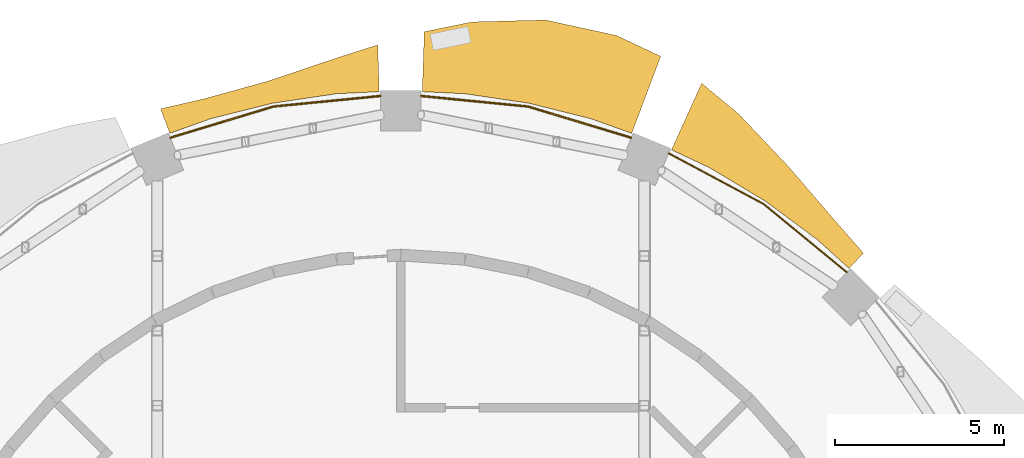
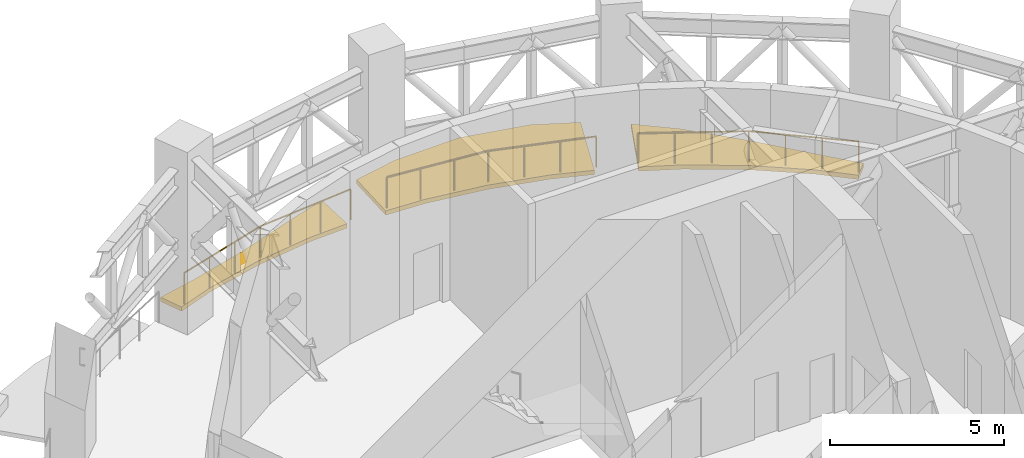
# One storey, part 13 of 14: 3 railings, 3 shading devices.
"""IFC4 building model written with IfcOpenShell, lengths in metres."""

import ifcopenshell
import ifcopenshell.guid

model = None  # the IFC model being written
_history = None  # IfcOwnerHistory: only IFC2X3 demands one
_inside = {}  # id of a spatial element -> (the spatial element, [elements in it])
_under = {}  # id of a project, library or spatial element -> (it, [spatial elements below it])
_declared = {}  # id of a project -> (the project, [libraries it declares])
_typed = {}  # id of a type object -> (the type object, [elements of that type])
_made_of = {}  # id of a material, layer set ... -> (it, [elements and type objects made of it])


def new_model(schema):
    """Start an empty IFC model of exactly this schema.

    Asked for "IFC4X3", IfcOpenShell would pick the latest addendum, in which some entities
    have other attributes; the version numbers below select the first issue.
    IFC2X3 requires an IfcOwnerHistory on every rooted entity: one is made here for all.
    """
    global model, _history
    if schema == "IFC4X3":
        model = ifcopenshell.file(schema_version=(4, 3, 0, 0))
    else:
        model = ifcopenshell.file(schema=schema)
    _inside.clear()
    _under.clear()
    _declared.clear()
    _typed.clear()
    _made_of.clear()
    _history = None
    if model.schema == "IFC2X3":
        org = make("IfcOrganization", Name="unknown")
        user = make(
            "IfcPersonAndOrganization",
            ThePerson=make("IfcPerson", FamilyName="unknown"),
            TheOrganization=org,
        )
        app = make(
            "IfcApplication",
            ApplicationDeveloper=org,
            Version="unknown",
            ApplicationFullName="unknown",
            ApplicationIdentifier="unknown",
        )
        _history = make(
            "IfcOwnerHistory",
            OwningUser=user,
            OwningApplication=app,
            ChangeAction="ADDED",
            CreationDate=0,
        )
    return model


def make(cls, **values):
    """One entity of the class cls with the attributes given. An attribute that is None is left unset."""
    return model.create_entity(
        cls, **{name: value for name, value in values.items() if value is not None}
    )


def rooted(cls, **values):
    """An entity with a GlobalId (a new one), such as an element, a storey or a relation."""
    return make(cls, GlobalId=ifcopenshell.guid.new(), OwnerHistory=_history, **values)


def si_unit(unit_type, name, prefix=None):
    """IfcSIUnit, for example si_unit("LENGTHUNIT", "METRE", prefix="MILLI")."""
    return make("IfcSIUnit", UnitType=unit_type, Prefix=prefix, Name=name)


def assignment(units):
    """IfcUnitAssignment: the units of a project."""
    return None if units is None else make("IfcUnitAssignment", Units=units)


def point(xyz):
    """IfcCartesianPoint."""
    return None if xyz is None else make("IfcCartesianPoint", Coordinates=xyz)


def direction(xyz):
    """IfcDirection."""
    return None if xyz is None else make("IfcDirection", DirectionRatios=xyz)


def frame(location, z_axis=None, x_axis=None):
    """IfcAxis2Placement3D, a coordinate frame: its origin and axes. An axis left out is left unset."""
    return make(
        "IfcAxis2Placement3D",
        Location=point(location),
        Axis=direction(z_axis),
        RefDirection=direction(x_axis),
    )


def frame_2d(location, x_axis=None):
    """IfcAxis2Placement2D, a coordinate frame in the plane: its origin and x axis."""
    return make(
        "IfcAxis2Placement2D", Location=point(location), RefDirection=direction(x_axis)
    )


def origin():
    """The frame at (0, 0, 0) with its axes left unset."""
    return frame((0.0, 0.0, 0.0))


def origin_2d():
    """The frame at (0, 0) in the plane with its x axis left unset."""
    return frame_2d((0.0, 0.0))


def place(relative_to, where):
    """IfcLocalPlacement: puts the frame where relative to a parent placement (None: the world)."""
    return make(
        "IfcLocalPlacement", PlacementRelTo=relative_to, RelativePlacement=where
    )


def context(
    kind, dimensions, precision=None, world=None, true_north=None, identifier=None
):
    """IfcGeometricRepresentationContext, for example the 3D "Model" context."""
    return make(
        "IfcGeometricRepresentationContext",
        ContextIdentifier=identifier,
        ContextType=kind,
        CoordinateSpaceDimension=dimensions,
        Precision=precision,
        WorldCoordinateSystem=world,
        TrueNorth=true_north,
    )


def subcontext(parent, identifier, kind, view, scale=None):
    """IfcGeometricRepresentationSubContext, for example "Body" below "Model"."""
    return make(
        "IfcGeometricRepresentationSubContext",
        ContextIdentifier=identifier,
        ContextType=kind,
        ParentContext=parent,
        TargetScale=scale,
        TargetView=view,
    )


def project(units=None, contexts=None):
    """IfcProject with its units and contexts."""
    return rooted(
        "IfcProject",
        Name="project",
        RepresentationContexts=contexts,
        UnitsInContext=assignment(units),
    )


def spatial(cls, under=None, at=None, **own):
    """A site, building, storey or space (cls), placed at a placement, below another one or the project."""
    s = rooted(cls, ObjectPlacement=at, **own)
    if under is not None:
        _under.setdefault(under.id(), (under, []))[1].append(s)
    return s


def polyline(points):
    """IfcPolyline through the points."""
    return make("IfcPolyline", Points=[point(p) for p in points])


def profile(cls, at=None, kind="AREA", **sizes):
    """A parametric profile (cls). Its sizes go by their IFC names, for example OverallWidth=200.0."""
    return make(cls, ProfileType=kind, Position=at, **sizes)


def circle(**sizes):
    """IfcCircleProfileDef."""
    return profile("IfcCircleProfileDef", **sizes)


def outline(outer, holes=None, kind="AREA"):
    """IfcArbitraryClosedProfileDef: a profile drawn as a closed curve; with holes, ...WithVoids."""
    if holes is None:
        return make("IfcArbitraryClosedProfileDef", ProfileType=kind, OuterCurve=outer)
    return make(
        "IfcArbitraryProfileDefWithVoids",
        ProfileType=kind,
        OuterCurve=outer,
        InnerCurves=holes,
    )


def extrude(swept, where, along, depth):
    """IfcExtrudedAreaSolid: the profile swept, set in the frame where, extruded along a direction by depth."""
    return make(
        "IfcExtrudedAreaSolid",
        SweptArea=swept,
        Position=where,
        ExtrudedDirection=direction(along),
        Depth=depth,
    )


def shape(context_of_items, identifier, shape_type, items):
    """IfcShapeRepresentation: the items that make up one representation, for example the "Body"."""
    return make(
        "IfcShapeRepresentation",
        ContextOfItems=context_of_items,
        RepresentationIdentifier=identifier,
        RepresentationType=shape_type,
        Items=items,
    )


def material(Name=None, Category=None):
    """IfcMaterial."""
    return make("IfcMaterial", Name=Name, Category=Category)


def made_of(thing, what):
    """Note that an element or type object is made of a material, layer set ...; save() writes the relation."""
    if what is not None:
        _made_of.setdefault(what.id(), (what, []))[1].append(thing)
    return thing


def type_object(cls, material=None, **own):
    """A type object (cls), such as IfcWallType, which elements share."""
    return made_of(rooted(cls, **own), material)


def element(
    cls,
    number,
    at=None,
    inside=None,
    cuts=None,
    type_object=None,
    material=None,
    context=None,
    identifier="Body",
    shape_type=None,
    held_by="IfcProductDefinitionShape",
    body=None,
    shapes=None,
    **own,
):
    """One element of the class cls, such as IfcWall. Its Tag is "e" and its number.

    at: its placement. inside: the storey or other place that contains it. cuts: it is an
    opening in that element (IfcRelVoidsElement). A single representation is given by context,
    identifier, shape_type and body (its items); several are given by shapes. held_by: the class
    of the entity that holds the representations. save() writes the other relations.
    """
    e = rooted(cls, Tag="e%d" % number, ObjectPlacement=at, **own)
    if body is not None:
        shapes = [shape(context, identifier, shape_type, body)]
    if shapes is not None:
        e.Representation = make(held_by, Representations=shapes)
    if inside is not None:
        _inside.setdefault(inside.id(), (inside, []))[1].append(e)
    if cuts is not None:
        rooted(
            "IfcRelVoidsElement", RelatingBuildingElement=cuts, RelatedOpeningElement=e
        )
    if type_object is not None:
        _typed.setdefault(type_object.id(), (type_object, []))[1].append(e)
    return made_of(e, material)


def aggregate(whole, parts):
    """IfcRelAggregates: a whole, such as a stair, and the parts it consists of."""
    return rooted("IfcRelAggregates", RelatingObject=whole, RelatedObjects=parts)


def save(model, path):
    """Write the relations noted so far, then the file.

    IfcRelAggregates (storeys below a building ...), IfcRelContainedInSpatialStructure (elements
    in a storey), IfcRelDefinesByType, IfcRelAssociatesMaterial and IfcRelDeclares: one each for
    every whole, place, type object, material and project.
    """
    for whole, parts in _under.values():
        aggregate(whole, parts)
    for where, things in _inside.values():
        rooted(
            "IfcRelContainedInSpatialStructure",
            RelatedElements=things,
            RelatingStructure=where,
        )
    for kind, things in _typed.values():
        rooted("IfcRelDefinesByType", RelatedObjects=things, RelatingType=kind)
    for what, things in _made_of.values():
        rooted("IfcRelAssociatesMaterial", RelatedObjects=things, RelatingMaterial=what)
    for by, libraries in _declared.values():
        rooted("IfcRelDeclares", RelatingContext=by, RelatedDefinitions=libraries)
    model.write(path)


model = new_model("IFC4")

# Units and contexts
model_context = context("Model", 3, precision=1e-05, world=origin(), true_north=direction((0.0, 1.0)))
body_context = subcontext(model_context, "Body", "Model", "MODEL_VIEW")
ifc_project = project(units=[si_unit("LENGTHUNIT", "METRE"), si_unit("AREAUNIT", "SQUARE_METRE"), si_unit("VOLUMEUNIT", "CUBIC_METRE"), si_unit("PLANEANGLEUNIT", "RADIAN"), si_unit("MASSUNIT", "GRAM", prefix="KILO")], contexts=[model_context])

# Site, building, storey
site_placement = place(None, origin())
site = spatial("IfcSite", under=ifc_project, at=site_placement, CompositionType="ELEMENT")
building_placement = place(site_placement, origin())
building = spatial("IfcBuilding", under=site, at=building_placement, Name="Polderwave Tower", CompositionType="ELEMENT")
storey_placement = place(building_placement, frame((0.0, 0.0, 66.35009765625)))
storey = spatial("IfcBuildingStorey", under=building, at=storey_placement, Name="L17", CompositionType="ELEMENT", Elevation=66.35009765625)

# Shading devices
ifc_material_1 = material(Name="Terracotta", Category="masonry")
shading_device_type = type_object("IfcShadingDeviceType", Name="Terracotta sunshade band", PredefinedType="USERDEFINED", material=ifc_material_1)
shading_device_1_placement = place(storey_placement, frame((0.0, 0.0, -0.35009765625)))
element("IfcShadingDevice", 1, at=shading_device_1_placement, inside=storey, type_object=shading_device_type, Name="Sunshade band L17 3", ObjectType="SUNSHADE", PredefinedType="USERDEFINED", context=body_context, shape_type="SweptSolid", body=[
    extrude(outline(polyline([(13.30078125, 14.20361328125), (12.35791015625, 15.05810546875), (10.822509765625, 16.197021484375), (9.182861328125, 17.1796875), (8.032470703125, 17.723876953125), (8.927490234375, 19.69873046875), (10.036376953125, 18.776611328125), (11.507080078125, 17.221435546875), (12.851318359375, 15.6591796875), (13.726318359375, 14.658203125), (13.30078125, 14.20361328125)])), origin(), (0.0, 0.0, 1.0), 0.14990234375),
])
shading_device_2_placement = place(storey_placement, frame((0.0, 0.0, -0.35009765625)))
element("IfcShadingDevice", 2, at=shading_device_2_placement, inside=storey, type_object=shading_device_type, Name="Sunshade band L17 4", ObjectType="SUNSHADE", PredefinedType="USERDEFINED", context=body_context, shape_type="SweptSolid", body=[
    extrude(outline(polyline([(6.852783203125, 18.21240234375), (5.65478515625, 18.64111328125), (3.80029296875, 19.105712890625), (1.909423828125, 19.38623046875), (0.638427734375, 19.448486328125), (0.69677734375, 21.227783203125), (2.119384765625, 21.518310546875), (4.29150390625, 21.574951171875), (6.40478515625, 21.11376953125), (7.71240234375, 20.49658203125), (6.852783203125, 18.21240234375)])), origin(), (0.0, 0.0, 1.0), 0.14990234375),
])
shading_device_3_placement = place(storey_placement, frame((0.0, 0.0, -0.35009765625)))
element("IfcShadingDevice", 3, at=shading_device_3_placement, inside=storey, type_object=shading_device_type, Name="Sunshade band L17 5", ObjectType="SUNSHADE", PredefinedType="USERDEFINED", context=body_context, shape_type="SweptSolid", body=[
    extrude(outline(polyline([(-0.638427734375, 19.448486328125), (-1.909423828125, 19.38623046875), (-3.80029296875, 19.105712890625), (-5.65478515625, 18.64111328125), (-6.852783203125, 18.21240234375), (-7.126708984375, 18.939697265625), (-5.83544921875, 19.23681640625), (-3.93115234375, 19.762939453125), (-2.010498046875, 20.41259765625), (-0.683837890625, 20.8369140625), (-0.638427734375, 19.448486328125)])), origin(), (0.0, 0.0, 1.0), 0.14990234375),
])

# Railings
ifc_material_2 = material(Name="Stainless steel 316", Category="steel")
railing_type = type_object("IfcRailingType", Name="Wind floor guard 1100", PredefinedType="GUARDRAIL", material=ifc_material_2)
railing_1_placement = place(storey_placement, frame((13.23779296875, 14.086181640625, 0.0)))
element("IfcRailing", 4, at=railing_1_placement, inside=storey, type_object=railing_type, Name="Wind floor guard L17 3", PredefinedType="GUARDRAIL", context=body_context, shape_type="SweptSolid", body=[
    extrude(circle(Radius=0.02490234375, at=origin_2d()), frame((0.0, 0.0, 1.0751953125), z_axis=(-0.772983085153, 0.634426630957, 0.0), x_axis=(-0.634426630957, -0.772983085153, 0.0)), (0.0, 0.0, 1.0), 3.1962890625),
    extrude(circle(Radius=0.02490234375, at=origin_2d()), frame((-2.470703125, 2.02783203125, 1.0751953125), z_axis=(-0.881953018682, 0.471337323832, 0.0), x_axis=(-0.471337323832, -0.881953018682, 0.0)), (0.0, 0.0, 1.0), 3.196533203125),
    extrude(circle(Radius=0.02001953125, at=origin_2d()), origin(), (0.0, 0.0, 1.0), 1.050048828125),
    extrude(circle(Radius=0.02001953125, at=origin_2d()), frame((-0.823486328125, 0.676025390625, 0.0)), (0.0, 0.0, 1.0), 1.050048828125),
    extrude(circle(Radius=0.02001953125, at=origin_2d()), frame((-1.647216796875, 1.351806640625, 0.0)), (0.0, 0.0, 1.0), 1.050048828125),
    extrude(circle(Radius=0.02001953125, at=origin_2d()), frame((-2.470703125, 2.02783203125, 0.0)), (0.0, 0.0, 1.0), 1.050048828125),
    extrude(circle(Radius=0.02001953125, at=origin_2d()), frame((-3.410400390625, 2.530029296875, 0.0)), (0.0, 0.0, 1.0), 1.050048828125),
    extrude(circle(Radius=0.02001953125, at=origin_2d()), frame((-4.35009765625, 3.0322265625, 0.0)), (0.0, 0.0, 1.0), 1.050048828125),
    extrude(circle(Radius=0.02001953125, at=origin_2d()), frame((-5.289794921875, 3.534423828125, 0.0)), (0.0, 0.0, 1.0), 1.050048828125),
])
railing_2_placement = place(storey_placement, frame((6.839599609375, 18.079833984375, 0.0)))
element("IfcRailing", 5, at=railing_2_placement, inside=storey, type_object=railing_type, Name="Wind floor guard L17 4", PredefinedType="GUARDRAIL", context=body_context, shape_type="SweptSolid", body=[
    extrude(circle(Radius=0.02490234375, at=origin_2d()), frame((0.0, 0.0, 1.0751953125), z_axis=(-0.956947279269, 0.290261786496, 0.0), x_axis=(-0.290261786496, -0.956947279269, 0.0)), (0.0, 0.0, 1.0), 3.1962890625),
    extrude(circle(Radius=0.02490234375, at=origin_2d()), frame((-3.05859375, 0.927734375, 1.0751953125), z_axis=(-0.995186548163, 0.097998644661, 0.0), x_axis=(-0.097998644661, -0.995186548163, 0.0)), (0.0, 0.0, 1.0), 3.1962890625),
    extrude(circle(Radius=0.02001953125, at=origin_2d()), origin(), (0.0, 0.0, 1.0), 1.050048828125),
    extrude(circle(Radius=0.02001953125, at=origin_2d()), frame((-1.01953125, 0.309326171875, 0.0)), (0.0, 0.0, 1.0), 1.050048828125),
    extrude(circle(Radius=0.02001953125, at=origin_2d()), frame((-2.0390625, 0.618408203125, 0.0)), (0.0, 0.0, 1.0), 1.050048828125),
    extrude(circle(Radius=0.02001953125, at=origin_2d()), frame((-3.05859375, 0.927734375, 0.0)), (0.0, 0.0, 1.0), 1.050048828125),
    extrude(circle(Radius=0.02001953125, at=origin_2d()), frame((-4.118896484375, 1.0322265625, 0.0)), (0.0, 0.0, 1.0), 1.050048828125),
    extrude(circle(Radius=0.02001953125, at=origin_2d()), frame((-5.17919921875, 1.136474609375, 0.0)), (0.0, 0.0, 1.0), 1.050048828125),
    extrude(circle(Radius=0.02001953125, at=origin_2d()), frame((-6.239501953125, 1.240966796875, 0.0)), (0.0, 0.0, 1.0), 1.050048828125),
])
railing_3_placement = place(storey_placement, frame((-0.60009765625, 19.32080078125, 0.0)))
element("IfcRailing", 6, at=railing_3_placement, inside=storey, type_object=railing_type, Name="Wind floor guard L17 5", PredefinedType="GUARDRAIL", context=body_context, shape_type="SweptSolid", body=[
    extrude(circle(Radius=0.02490234375, at=origin_2d()), frame((0.0, 0.0, 1.0751953125), z_axis=(-0.995186548163, -0.097998644661, 0.0), x_axis=(0.097998644661, -0.995186548163, 0.0)), (0.0, 0.0, 1.0), 3.1962890625),
    extrude(circle(Radius=0.02490234375, at=origin_2d()), frame((-3.180908203125, -0.313232421875, 1.0751953125), z_axis=(-0.956947279269, -0.290261786496, 0.0), x_axis=(0.290261786496, -0.956947279269, 0.0)), (0.0, 0.0, 1.0), 3.1962890625),
    extrude(circle(Radius=0.02001953125, at=origin_2d()), origin(), (0.0, 0.0, 1.0), 1.050048828125),
    extrude(circle(Radius=0.02001953125, at=origin_2d()), frame((-1.060302734375, -0.1044921875, 0.0)), (0.0, 0.0, 1.0), 1.050048828125),
    extrude(circle(Radius=0.02001953125, at=origin_2d()), frame((-2.12060546875, -0.208740234375, 0.0)), (0.0, 0.0, 1.0), 1.050048828125),
    extrude(circle(Radius=0.02001953125, at=origin_2d()), frame((-3.180908203125, -0.313232421875, 0.0)), (0.0, 0.0, 1.0), 1.050048828125),
    extrude(circle(Radius=0.02001953125, at=origin_2d()), frame((-4.200439453125, -0.62255859375, 0.0)), (0.0, 0.0, 1.0), 1.050048828125),
    extrude(circle(Radius=0.02001953125, at=origin_2d()), frame((-5.219970703125, -0.931640625, 0.0)), (0.0, 0.0, 1.0), 1.050048828125),
    extrude(circle(Radius=0.02001953125, at=origin_2d()), frame((-6.239501953125, -1.240966796875, 0.0)), (0.0, 0.0, 1.0), 1.050048828125),
])

save(model, "model.ifc")
